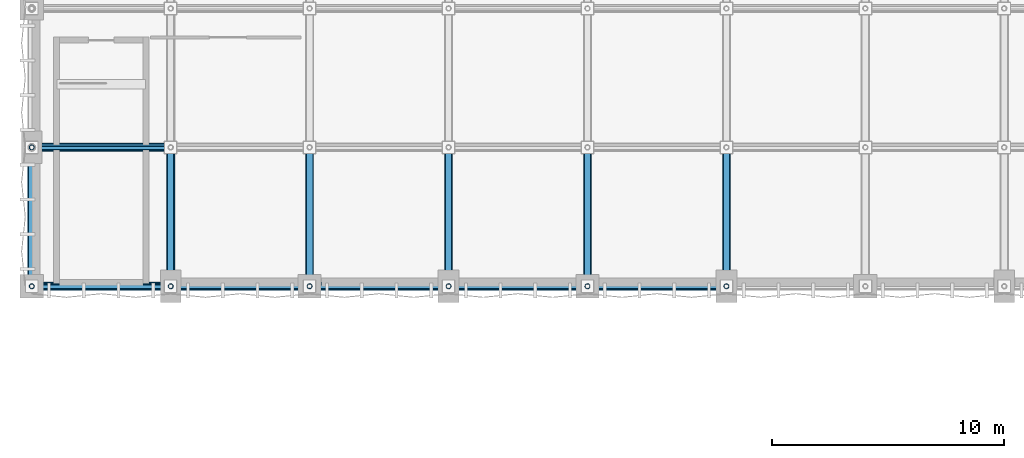
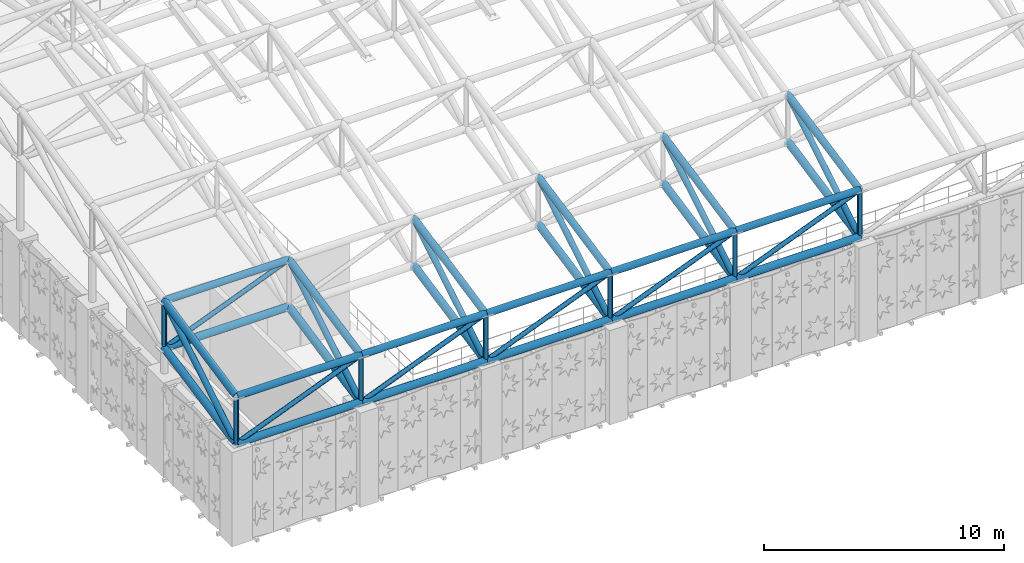
# One storey, part 16 of 112: 43 members.
"""IFC4 building model written with IfcOpenShell, lengths in metres."""

from ifc_helpers import new_model, si_unit, direction, frame, origin, origin_2d, place, context, subcontext, project, spatial, hollow_circle, extrude, material, material_profile, profile_set, type_object, element, save


model = new_model("IFC4")

# Units and contexts
model_context = context("Model", 3, precision=1e-05, world=origin(), true_north=direction((0.0, 1.0)))
body_context = subcontext(model_context, "Body", "Model", "MODEL_VIEW")
ifc_project = project(units=[si_unit("LENGTHUNIT", "METRE"), si_unit("AREAUNIT", "SQUARE_METRE"), si_unit("VOLUMEUNIT", "CUBIC_METRE"), si_unit("PLANEANGLEUNIT", "RADIAN"), si_unit("MASSUNIT", "GRAM", prefix="KILO"), si_unit("THERMODYNAMICTEMPERATUREUNIT", "KELVIN"), si_unit("POWERUNIT", "WATT")], contexts=[model_context])

# Site, building, storey
site_placement = place(None, origin())
site = spatial("IfcSite", under=ifc_project, at=site_placement, CompositionType="ELEMENT")
building_placement = place(site_placement, origin())
building = spatial("IfcBuilding", under=site, at=building_placement, Name="Phaisarnlok Congress Hotel", CompositionType="ELEMENT")
storey_placement = place(building_placement, frame((0.0, 0.0, 19.800048828125)))
storey = spatial("IfcBuildingStorey", under=building, at=storey_placement, Name="L04", CompositionType="ELEMENT", Elevation=19.800048828125)

# Members
ifc_material = material(Name="Steel S355", Category="steel")
ifc_material_profile_1 = material_profile(ifc_material, hollow_circle(Radius=0.109619140625, WallThickness=0.012451171875, at=origin_2d()), Name="CHS 219.1x12.5")
ifc_profile_set_1 = profile_set([ifc_material_profile_1], Name="Steel S355")
member_type_1 = type_object("IfcMemberType", Name="MEM-BRC-CHS219", PredefinedType="BRACE", material=ifc_profile_set_1)
member_1_placement = place(storey_placement, frame((0.0, 42.0, 4.800048828125), z_axis=(0.0, 0.0, 1.0), x_axis=(1.0, 0.0, 0.0)))
element("IfcMember", 1, at=member_1_placement, inside=storey, type_object=member_type_1, Name="Congress Hall space frame vertical brace TB-02", PredefinedType="BRACE", context=body_context, shape_type="SweptSolid", body=[
    extrude(hollow_circle(Radius=0.109619140625, WallThickness=0.012451171875, at=origin_2d()), origin(), (0.0, 0.0, 1.0), 2.39990234375),
])
member_2_placement = place(storey_placement, frame((0.0, 42.0, 4.800048828125), z_axis=(0.928481901832, 0.0, 0.371377648723), x_axis=(0.0, 1.0, 0.0)))
element("IfcMember", 2, at=member_2_placement, inside=storey, type_object=member_type_1, Name="Congress Hall space frame web diagonal TB-02", PredefinedType="BRACE", context=body_context, shape_type="SweptSolid", body=[
    extrude(hollow_circle(Radius=0.109619140625, WallThickness=0.012451171875, at=origin_2d()), origin(), (0.0, 0.0, 1.0), 6.462158203125),
])
member_3_placement = place(storey_placement, frame((0.0, 48.0, 6.020751953125), z_axis=(0.0, 0.0, 1.0), x_axis=(1.0, 0.0, 0.0)))
element("IfcMember", 3, at=member_3_placement, inside=storey, type_object=member_type_1, Name="Congress Hall space frame vertical brace TB-02", PredefinedType="BRACE", context=body_context, shape_type="SweptSolid", body=[
    extrude(hollow_circle(Radius=0.109619140625, WallThickness=0.012451171875, at=origin_2d()), origin(), (0.0, 0.0, 1.0), 2.39990234375),
])
member_4_placement = place(storey_placement, frame((0.0, 48.0, 6.020751953125), z_axis=(0.928481901832, 0.0, 0.371377648723), x_axis=(0.0, 1.0, 0.0)))
element("IfcMember", 4, at=member_4_placement, inside=storey, type_object=member_type_1, Name="Congress Hall space frame web diagonal TB-02", PredefinedType="BRACE", context=body_context, shape_type="SweptSolid", body=[
    extrude(hollow_circle(Radius=0.109619140625, WallThickness=0.012451171875, at=origin_2d()), origin(), (0.0, 0.0, 1.0), 6.462158203125),
])
member_5_placement = place(storey_placement, frame((6.0, 42.0, 4.800048828125), z_axis=(0.0, 0.0, 1.0), x_axis=(1.0, 0.0, 0.0)))
element("IfcMember", 5, at=member_5_placement, inside=storey, type_object=member_type_1, Name="Congress Hall space frame vertical brace TB-02", PredefinedType="BRACE", context=body_context, shape_type="SweptSolid", body=[
    extrude(hollow_circle(Radius=0.109619140625, WallThickness=0.012451171875, at=origin_2d()), origin(), (0.0, 0.0, 1.0), 2.39990234375),
])
member_6_placement = place(storey_placement, frame((6.0, 42.0, 4.800048828125), z_axis=(0.928481901832, 0.0, 0.371377648723), x_axis=(0.0, 1.0, 0.0)))
element("IfcMember", 6, at=member_6_placement, inside=storey, type_object=member_type_1, Name="Congress Hall space frame web diagonal TB-02", PredefinedType="BRACE", context=body_context, shape_type="SweptSolid", body=[
    extrude(hollow_circle(Radius=0.109619140625, WallThickness=0.012451171875, at=origin_2d()), origin(), (0.0, 0.0, 1.0), 6.462158203125),
])
member_7_placement = place(storey_placement, frame((12.0, 42.0, 4.800048828125), z_axis=(0.0, 0.0, 1.0), x_axis=(1.0, 0.0, 0.0)))
element("IfcMember", 7, at=member_7_placement, inside=storey, type_object=member_type_1, Name="Congress Hall space frame vertical brace TB-02", PredefinedType="BRACE", context=body_context, shape_type="SweptSolid", body=[
    extrude(hollow_circle(Radius=0.109619140625, WallThickness=0.012451171875, at=origin_2d()), origin(), (0.0, 0.0, 1.0), 2.39990234375),
])
member_8_placement = place(storey_placement, frame((12.0, 42.0, 4.800048828125), z_axis=(0.928481901832, 0.0, 0.371377648723), x_axis=(0.0, 1.0, 0.0)))
element("IfcMember", 8, at=member_8_placement, inside=storey, type_object=member_type_1, Name="Congress Hall space frame web diagonal TB-02", PredefinedType="BRACE", context=body_context, shape_type="SweptSolid", body=[
    extrude(hollow_circle(Radius=0.109619140625, WallThickness=0.012451171875, at=origin_2d()), origin(), (0.0, 0.0, 1.0), 6.462158203125),
])
member_9_placement = place(storey_placement, frame((18.0, 42.0, 4.800048828125), z_axis=(0.0, 0.0, 1.0), x_axis=(1.0, 0.0, 0.0)))
element("IfcMember", 9, at=member_9_placement, inside=storey, type_object=member_type_1, Name="Congress Hall space frame vertical brace TB-02", PredefinedType="BRACE", context=body_context, shape_type="SweptSolid", body=[
    extrude(hollow_circle(Radius=0.109619140625, WallThickness=0.012451171875, at=origin_2d()), origin(), (0.0, 0.0, 1.0), 2.39990234375),
])
member_10_placement = place(storey_placement, frame((18.0, 42.0, 4.800048828125), z_axis=(0.928481901832, 0.0, 0.371377648723), x_axis=(0.0, 1.0, 0.0)))
element("IfcMember", 10, at=member_10_placement, inside=storey, type_object=member_type_1, Name="Congress Hall space frame web diagonal TB-02", PredefinedType="BRACE", context=body_context, shape_type="SweptSolid", body=[
    extrude(hollow_circle(Radius=0.109619140625, WallThickness=0.012451171875, at=origin_2d()), origin(), (0.0, 0.0, 1.0), 6.462158203125),
])
member_11_placement = place(storey_placement, frame((24.0, 42.0, 4.800048828125), z_axis=(0.0, 0.0, 1.0), x_axis=(1.0, 0.0, 0.0)))
element("IfcMember", 11, at=member_11_placement, inside=storey, type_object=member_type_1, Name="Congress Hall space frame vertical brace TB-02", PredefinedType="BRACE", context=body_context, shape_type="SweptSolid", body=[
    extrude(hollow_circle(Radius=0.109619140625, WallThickness=0.012451171875, at=origin_2d()), origin(), (0.0, 0.0, 1.0), 2.39990234375),
])
member_12_placement = place(storey_placement, frame((24.0, 42.0, 4.800048828125), z_axis=(0.928481901832, 0.0, 0.371377648723), x_axis=(0.0, 1.0, 0.0)))
element("IfcMember", 12, at=member_12_placement, inside=storey, type_object=member_type_1, Name="Congress Hall space frame web diagonal TB-02", PredefinedType="BRACE", context=body_context, shape_type="SweptSolid", body=[
    extrude(hollow_circle(Radius=0.109619140625, WallThickness=0.012451171875, at=origin_2d()), origin(), (0.0, 0.0, 1.0), 6.462158203125),
])
member_13_placement = place(storey_placement, frame((30.0, 42.0, 4.800048828125), z_axis=(0.0, 0.0, 1.0), x_axis=(1.0, 0.0, 0.0)))
element("IfcMember", 13, at=member_13_placement, inside=storey, type_object=member_type_1, Name="Congress Hall space frame vertical brace TB-02", PredefinedType="BRACE", context=body_context, shape_type="SweptSolid", body=[
    extrude(hollow_circle(Radius=0.109619140625, WallThickness=0.012451171875, at=origin_2d()), origin(), (0.0, 0.0, 1.0), 2.39990234375),
])
ifc_material_profile_2 = material_profile(ifc_material, hollow_circle(Radius=0.136474609375, WallThickness=0.01611328125, at=origin_2d()), Name="CHS 273x16")
ifc_profile_set_2 = profile_set([ifc_material_profile_2], Name="Steel S355")
member_type_2 = type_object("IfcMemberType", Name="MEM-BRC-CHS273", PredefinedType="BRACE", material=ifc_profile_set_2)
for number, where, z_axis, x_axis, name in (
    (14, (0.0, 42.0, 4.800048828125), (0.0, 0.856192975252, 0.516656161417), (-1.0, 0.0, 0.0), "Congress Hall space frame raking brace TB-03"),
    (15, (6.0, 42.0, 4.800048828125), (0.0, 0.856192975252, 0.516656161417), (-1.0, 0.0, 0.0), "Congress Hall space frame raking brace TB-03"),
    (16, (12.0, 42.0, 4.800048828125), (0.0, 0.856192975252, 0.516656161417), (-1.0, 0.0, 0.0), "Congress Hall space frame raking brace TB-03"),
    (17, (18.0, 42.0, 4.800048828125), (0.0, 0.856192975252, 0.516656161417), (-1.0, 0.0, 0.0), "Congress Hall space frame raking brace TB-03"),
    (18, (24.0, 42.0, 4.800048828125), (0.0, 0.856192975252, 0.516656161417), (-1.0, 0.0, 0.0), "Congress Hall space frame raking brace TB-03"),
    (19, (30.0, 42.0, 4.800048828125), (0.0, 0.856192975252, 0.516656161417), (-1.0, 0.0, 0.0), "Congress Hall space frame raking brace TB-03"),
):
    element("IfcMember", number, at=place(storey_placement, frame(where, z_axis=z_axis, x_axis=x_axis)), inside=storey, type_object=member_type_2, Name=name, PredefinedType="BRACE", context=body_context, shape_type="SweptSolid", body=[
        extrude(hollow_circle(Radius=0.136474609375, WallThickness=0.01611328125, at=origin_2d()), origin(), (0.0, 0.0, 1.0), 7.0078125),
    ])
ifc_material_profile_3 = material_profile(ifc_material, hollow_circle(Radius=0.161865234375, WallThickness=0.01611328125, at=origin_2d()), Name="CHS 323.9x16")
ifc_profile_set_3 = profile_set([ifc_material_profile_3], Name="Steel S355")
member_type_3 = type_object("IfcMemberType", Name="MEM-CHD-CHS324", PredefinedType="CHORD", material=ifc_profile_set_3)
member_14_placement = place(storey_placement, frame((0.0, 42.0, 7.199951171875), z_axis=(1.0, 0.0, 0.0), x_axis=(0.0, 1.0, 0.0)))
element("IfcMember", 20, at=member_14_placement, inside=storey, type_object=member_type_3, Name="Congress Hall space frame top chord TC-02", PredefinedType="CHORD", context=body_context, shape_type="SweptSolid", body=[
    extrude(hollow_circle(Radius=0.161865234375, WallThickness=0.01611328125, at=origin_2d()), origin(), (0.0, 0.0, 1.0), 6.0),
])
member_15_placement = place(storey_placement, frame((0.0, 42.0, 7.199951171875), z_axis=(0.0, 0.979925045119, 0.199366260807), x_axis=(-1.0, 0.0, 0.0)))
element("IfcMember", 21, at=member_15_placement, inside=storey, type_object=member_type_3, Name="Congress Hall space frame top chord TC-02", PredefinedType="CHORD", context=body_context, shape_type="SweptSolid", body=[
    extrude(hollow_circle(Radius=0.161865234375, WallThickness=0.01611328125, at=origin_2d()), origin(), (0.0, 0.0, 1.0), 6.122802734375),
])
for number, where, z_axis, x_axis, name in (
    (22, (0.0, 48.0, 8.420654296875), (1.0, 0.0, 0.0), (0.0, 1.0, 0.0), "Congress Hall space frame top chord TC-02"),
    (23, (6.0, 42.0, 7.199951171875), (1.0, 0.0, 0.0), (0.0, 1.0, 0.0), "Congress Hall space frame top chord TC-02"),
):
    element("IfcMember", number, at=place(storey_placement, frame(where, z_axis=z_axis, x_axis=x_axis)), inside=storey, type_object=member_type_3, Name=name, PredefinedType="CHORD", context=body_context, shape_type="SweptSolid", body=[
        extrude(hollow_circle(Radius=0.161865234375, WallThickness=0.01611328125, at=origin_2d()), origin(), (0.0, 0.0, 1.0), 6.0),
    ])
member_16_placement = place(storey_placement, frame((6.0, 42.0, 7.199951171875), z_axis=(0.0, 0.979925045119, 0.199366260807), x_axis=(-1.0, 0.0, 0.0)))
element("IfcMember", 24, at=member_16_placement, inside=storey, type_object=member_type_3, Name="Congress Hall space frame top chord TC-02", PredefinedType="CHORD", context=body_context, shape_type="SweptSolid", body=[
    extrude(hollow_circle(Radius=0.161865234375, WallThickness=0.01611328125, at=origin_2d()), origin(), (0.0, 0.0, 1.0), 6.122802734375),
])
member_17_placement = place(storey_placement, frame((12.0, 42.0, 7.199951171875), z_axis=(1.0, 0.0, 0.0), x_axis=(0.0, 1.0, 0.0)))
element("IfcMember", 25, at=member_17_placement, inside=storey, type_object=member_type_3, Name="Congress Hall space frame top chord TC-02", PredefinedType="CHORD", context=body_context, shape_type="SweptSolid", body=[
    extrude(hollow_circle(Radius=0.161865234375, WallThickness=0.01611328125, at=origin_2d()), origin(), (0.0, 0.0, 1.0), 6.0),
])
member_18_placement = place(storey_placement, frame((12.0, 42.0, 7.199951171875), z_axis=(0.0, 0.979925045119, 0.199366260807), x_axis=(-1.0, 0.0, 0.0)))
element("IfcMember", 26, at=member_18_placement, inside=storey, type_object=member_type_3, Name="Congress Hall space frame top chord TC-02", PredefinedType="CHORD", context=body_context, shape_type="SweptSolid", body=[
    extrude(hollow_circle(Radius=0.161865234375, WallThickness=0.01611328125, at=origin_2d()), origin(), (0.0, 0.0, 1.0), 6.122802734375),
])
member_19_placement = place(storey_placement, frame((18.0, 42.0, 7.199951171875), z_axis=(1.0, 0.0, 0.0), x_axis=(0.0, 1.0, 0.0)))
element("IfcMember", 27, at=member_19_placement, inside=storey, type_object=member_type_3, Name="Congress Hall space frame top chord TC-02", PredefinedType="CHORD", context=body_context, shape_type="SweptSolid", body=[
    extrude(hollow_circle(Radius=0.161865234375, WallThickness=0.01611328125, at=origin_2d()), origin(), (0.0, 0.0, 1.0), 6.0),
])
member_20_placement = place(storey_placement, frame((18.0, 42.0, 7.199951171875), z_axis=(0.0, 0.979925045119, 0.199366260807), x_axis=(-1.0, 0.0, 0.0)))
element("IfcMember", 28, at=member_20_placement, inside=storey, type_object=member_type_3, Name="Congress Hall space frame top chord TC-02", PredefinedType="CHORD", context=body_context, shape_type="SweptSolid", body=[
    extrude(hollow_circle(Radius=0.161865234375, WallThickness=0.01611328125, at=origin_2d()), origin(), (0.0, 0.0, 1.0), 6.122802734375),
])
member_21_placement = place(storey_placement, frame((24.0, 42.0, 7.199951171875), z_axis=(1.0, 0.0, 0.0), x_axis=(0.0, 1.0, 0.0)))
element("IfcMember", 29, at=member_21_placement, inside=storey, type_object=member_type_3, Name="Congress Hall space frame top chord TC-02", PredefinedType="CHORD", context=body_context, shape_type="SweptSolid", body=[
    extrude(hollow_circle(Radius=0.161865234375, WallThickness=0.01611328125, at=origin_2d()), origin(), (0.0, 0.0, 1.0), 6.0),
])
for number, where, z_axis, x_axis, name in (
    (30, (24.0, 42.0, 7.199951171875), (0.0, 0.979925045119, 0.199366260807), (-1.0, 0.0, 0.0), "Congress Hall space frame top chord TC-02"),
    (31, (30.0, 42.0, 7.199951171875), (0.0, 0.979925045119, 0.199366260807), (-1.0, 0.0, 0.0), "Congress Hall space frame top chord TC-02"),
):
    element("IfcMember", number, at=place(storey_placement, frame(where, z_axis=z_axis, x_axis=x_axis)), inside=storey, type_object=member_type_3, Name=name, PredefinedType="CHORD", context=body_context, shape_type="SweptSolid", body=[
        extrude(hollow_circle(Radius=0.161865234375, WallThickness=0.01611328125, at=origin_2d()), origin(), (0.0, 0.0, 1.0), 6.122802734375),
    ])
ifc_material_profile_4 = material_profile(ifc_material, hollow_circle(Radius=0.177734375, WallThickness=0.02001953125, at=origin_2d()), Name="CHS 355.6x20")
ifc_profile_set_4 = profile_set([ifc_material_profile_4], Name="Steel S355")
member_type_4 = type_object("IfcMemberType", Name="MEM-CHD-CHS356", PredefinedType="CHORD", material=ifc_profile_set_4)
member_22_placement = place(storey_placement, frame((0.0, 42.0, 4.800048828125), z_axis=(1.0, 0.0, 0.0), x_axis=(0.0, 1.0, 0.0)))
element("IfcMember", 32, at=member_22_placement, inside=storey, type_object=member_type_4, Name="Congress Hall space frame bottom chord TC-01", PredefinedType="CHORD", context=body_context, shape_type="SweptSolid", body=[
    extrude(hollow_circle(Radius=0.177734375, WallThickness=0.02001953125, at=origin_2d()), origin(), (0.0, 0.0, 1.0), 6.0),
])
member_23_placement = place(storey_placement, frame((0.0, 42.0, 4.800048828125), z_axis=(0.0, 0.979925045119, 0.199366260807), x_axis=(-1.0, 0.0, 0.0)))
element("IfcMember", 33, at=member_23_placement, inside=storey, type_object=member_type_4, Name="Congress Hall space frame bottom chord TC-01", PredefinedType="CHORD", context=body_context, shape_type="SweptSolid", body=[
    extrude(hollow_circle(Radius=0.177734375, WallThickness=0.02001953125, at=origin_2d()), origin(), (0.0, 0.0, 1.0), 6.122802734375),
])
for number, where, z_axis, x_axis, name in (
    (34, (0.0, 48.0, 6.020751953125), (1.0, 0.0, 0.0), (0.0, 1.0, 0.0), "Congress Hall space frame bottom chord TC-01"),
    (35, (6.0, 42.0, 4.800048828125), (1.0, 0.0, 0.0), (0.0, 1.0, 0.0), "Congress Hall space frame bottom chord TC-01"),
):
    element("IfcMember", number, at=place(storey_placement, frame(where, z_axis=z_axis, x_axis=x_axis)), inside=storey, type_object=member_type_4, Name=name, PredefinedType="CHORD", context=body_context, shape_type="SweptSolid", body=[
        extrude(hollow_circle(Radius=0.177734375, WallThickness=0.02001953125, at=origin_2d()), origin(), (0.0, 0.0, 1.0), 6.0),
    ])
member_24_placement = place(storey_placement, frame((6.0, 42.0, 4.800048828125), z_axis=(0.0, 0.979925045119, 0.199366260807), x_axis=(-1.0, 0.0, 0.0)))
element("IfcMember", 36, at=member_24_placement, inside=storey, type_object=member_type_4, Name="Congress Hall space frame bottom chord TC-01", PredefinedType="CHORD", context=body_context, shape_type="SweptSolid", body=[
    extrude(hollow_circle(Radius=0.177734375, WallThickness=0.02001953125, at=origin_2d()), origin(), (0.0, 0.0, 1.0), 6.122802734375),
])
member_25_placement = place(storey_placement, frame((12.0, 42.0, 4.800048828125), z_axis=(1.0, 0.0, 0.0), x_axis=(0.0, 1.0, 0.0)))
element("IfcMember", 37, at=member_25_placement, inside=storey, type_object=member_type_4, Name="Congress Hall space frame bottom chord TC-01", PredefinedType="CHORD", context=body_context, shape_type="SweptSolid", body=[
    extrude(hollow_circle(Radius=0.177734375, WallThickness=0.02001953125, at=origin_2d()), origin(), (0.0, 0.0, 1.0), 6.0),
])
member_26_placement = place(storey_placement, frame((12.0, 42.0, 4.800048828125), z_axis=(0.0, 0.979925045119, 0.199366260807), x_axis=(-1.0, 0.0, 0.0)))
element("IfcMember", 38, at=member_26_placement, inside=storey, type_object=member_type_4, Name="Congress Hall space frame bottom chord TC-01", PredefinedType="CHORD", context=body_context, shape_type="SweptSolid", body=[
    extrude(hollow_circle(Radius=0.177734375, WallThickness=0.02001953125, at=origin_2d()), origin(), (0.0, 0.0, 1.0), 6.122802734375),
])
member_27_placement = place(storey_placement, frame((18.0, 42.0, 4.800048828125), z_axis=(1.0, 0.0, 0.0), x_axis=(0.0, 1.0, 0.0)))
element("IfcMember", 39, at=member_27_placement, inside=storey, type_object=member_type_4, Name="Congress Hall space frame bottom chord TC-01", PredefinedType="CHORD", context=body_context, shape_type="SweptSolid", body=[
    extrude(hollow_circle(Radius=0.177734375, WallThickness=0.02001953125, at=origin_2d()), origin(), (0.0, 0.0, 1.0), 6.0),
])
member_28_placement = place(storey_placement, frame((18.0, 42.0, 4.800048828125), z_axis=(0.0, 0.979925045119, 0.199366260807), x_axis=(-1.0, 0.0, 0.0)))
element("IfcMember", 40, at=member_28_placement, inside=storey, type_object=member_type_4, Name="Congress Hall space frame bottom chord TC-01", PredefinedType="CHORD", context=body_context, shape_type="SweptSolid", body=[
    extrude(hollow_circle(Radius=0.177734375, WallThickness=0.02001953125, at=origin_2d()), origin(), (0.0, 0.0, 1.0), 6.122802734375),
])
member_29_placement = place(storey_placement, frame((24.0, 42.0, 4.800048828125), z_axis=(1.0, 0.0, 0.0), x_axis=(0.0, 1.0, 0.0)))
element("IfcMember", 41, at=member_29_placement, inside=storey, type_object=member_type_4, Name="Congress Hall space frame bottom chord TC-01", PredefinedType="CHORD", context=body_context, shape_type="SweptSolid", body=[
    extrude(hollow_circle(Radius=0.177734375, WallThickness=0.02001953125, at=origin_2d()), origin(), (0.0, 0.0, 1.0), 6.0),
])
for number, where, z_axis, x_axis, name in (
    (42, (24.0, 42.0, 4.800048828125), (0.0, 0.979925045119, 0.199366260807), (-1.0, 0.0, 0.0), "Congress Hall space frame bottom chord TC-01"),
    (43, (30.0, 42.0, 4.800048828125), (0.0, 0.979925045119, 0.199366260807), (-1.0, 0.0, 0.0), "Congress Hall space frame bottom chord TC-01"),
):
    element("IfcMember", number, at=place(storey_placement, frame(where, z_axis=z_axis, x_axis=x_axis)), inside=storey, type_object=member_type_4, Name=name, PredefinedType="CHORD", context=body_context, shape_type="SweptSolid", body=[
        extrude(hollow_circle(Radius=0.177734375, WallThickness=0.02001953125, at=origin_2d()), origin(), (0.0, 0.0, 1.0), 6.122802734375),
    ])

save(model, "model.ifc")
